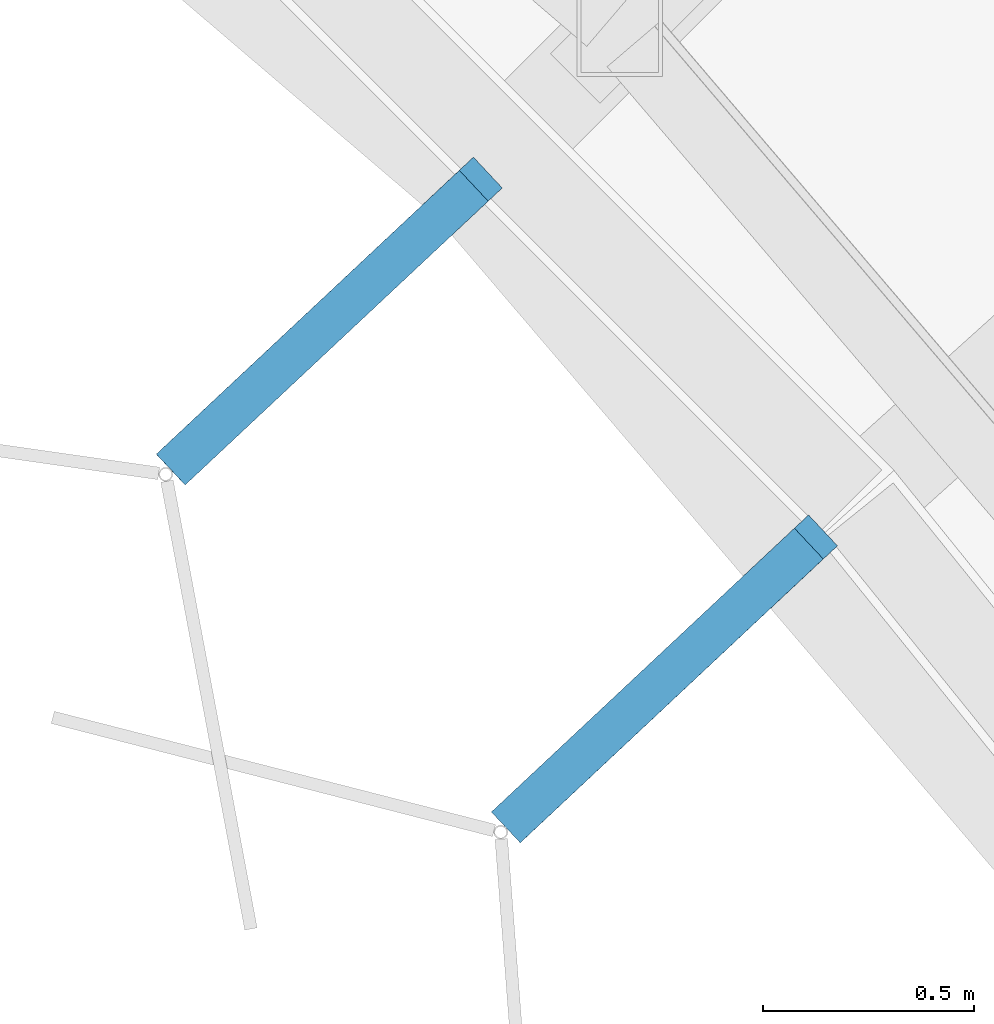
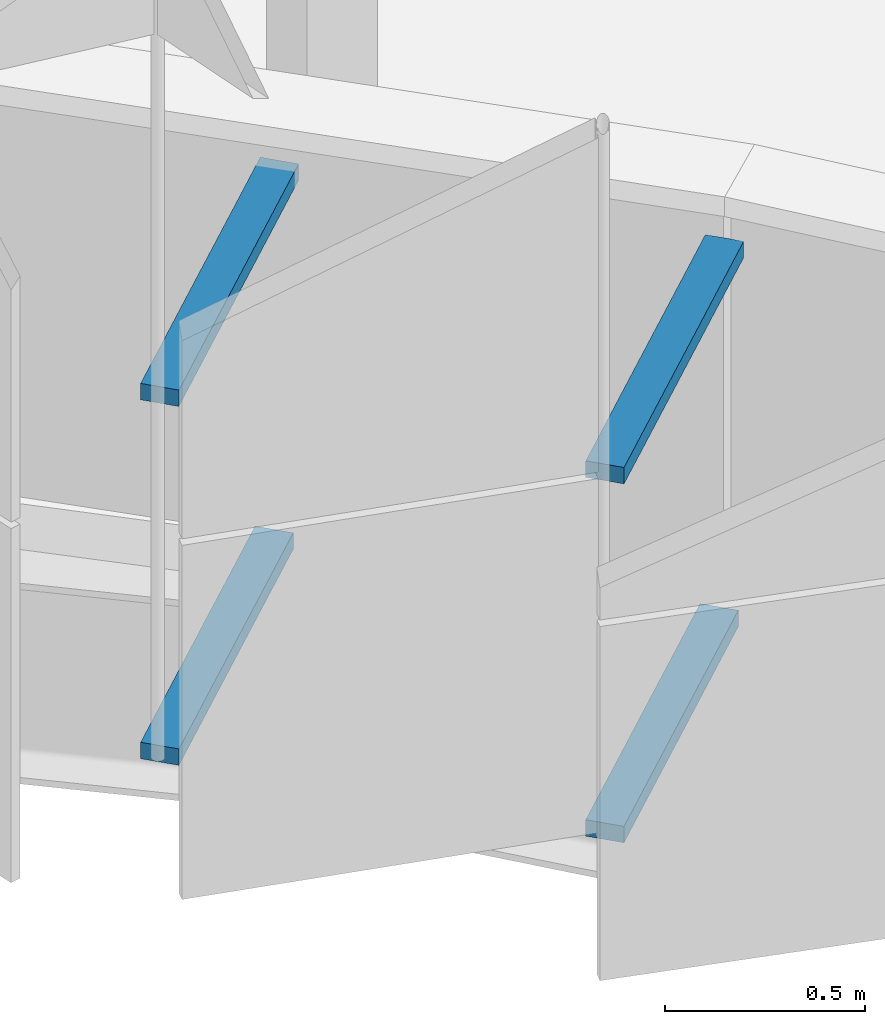
# One storey, part 269 of 483: 4 discrete accessories.
"""IFC4 building model written with IfcOpenShell, lengths in metres."""

import ifcopenshell
import ifcopenshell.guid

model = None  # the IFC model being written
_history = None  # IfcOwnerHistory: only IFC2X3 demands one
_inside = {}  # id of a spatial element -> (the spatial element, [elements in it])
_under = {}  # id of a project, library or spatial element -> (it, [spatial elements below it])
_declared = {}  # id of a project -> (the project, [libraries it declares])
_typed = {}  # id of a type object -> (the type object, [elements of that type])
_made_of = {}  # id of a material, layer set ... -> (it, [elements and type objects made of it])


def new_model(schema):
    """Start an empty IFC model of exactly this schema.

    Asked for "IFC4X3", IfcOpenShell would pick the latest addendum, in which some entities
    have other attributes; the version numbers below select the first issue.
    IFC2X3 requires an IfcOwnerHistory on every rooted entity: one is made here for all.
    """
    global model, _history
    if schema == "IFC4X3":
        model = ifcopenshell.file(schema_version=(4, 3, 0, 0))
    else:
        model = ifcopenshell.file(schema=schema)
    _inside.clear()
    _under.clear()
    _declared.clear()
    _typed.clear()
    _made_of.clear()
    _history = None
    if model.schema == "IFC2X3":
        org = make("IfcOrganization", Name="unknown")
        user = make(
            "IfcPersonAndOrganization",
            ThePerson=make("IfcPerson", FamilyName="unknown"),
            TheOrganization=org,
        )
        app = make(
            "IfcApplication",
            ApplicationDeveloper=org,
            Version="unknown",
            ApplicationFullName="unknown",
            ApplicationIdentifier="unknown",
        )
        _history = make(
            "IfcOwnerHistory",
            OwningUser=user,
            OwningApplication=app,
            ChangeAction="ADDED",
            CreationDate=0,
        )
    return model


def make(cls, **values):
    """One entity of the class cls with the attributes given. An attribute that is None is left unset."""
    return model.create_entity(
        cls, **{name: value for name, value in values.items() if value is not None}
    )


def rooted(cls, **values):
    """An entity with a GlobalId (a new one), such as an element, a storey or a relation."""
    return make(cls, GlobalId=ifcopenshell.guid.new(), OwnerHistory=_history, **values)


def si_unit(unit_type, name, prefix=None):
    """IfcSIUnit, for example si_unit("LENGTHUNIT", "METRE", prefix="MILLI")."""
    return make("IfcSIUnit", UnitType=unit_type, Prefix=prefix, Name=name)


def assignment(units):
    """IfcUnitAssignment: the units of a project."""
    return None if units is None else make("IfcUnitAssignment", Units=units)


def point(xyz):
    """IfcCartesianPoint."""
    return None if xyz is None else make("IfcCartesianPoint", Coordinates=xyz)


def direction(xyz):
    """IfcDirection."""
    return None if xyz is None else make("IfcDirection", DirectionRatios=xyz)


def frame(location, z_axis=None, x_axis=None):
    """IfcAxis2Placement3D, a coordinate frame: its origin and axes. An axis left out is left unset."""
    return make(
        "IfcAxis2Placement3D",
        Location=point(location),
        Axis=direction(z_axis),
        RefDirection=direction(x_axis),
    )


def frame_2d(location, x_axis=None):
    """IfcAxis2Placement2D, a coordinate frame in the plane: its origin and x axis."""
    return make(
        "IfcAxis2Placement2D", Location=point(location), RefDirection=direction(x_axis)
    )


def origin():
    """The frame at (0, 0, 0) with its axes left unset."""
    return frame((0.0, 0.0, 0.0))


def origin_2d():
    """The frame at (0, 0) in the plane with its x axis left unset."""
    return frame_2d((0.0, 0.0))


def place(relative_to, where):
    """IfcLocalPlacement: puts the frame where relative to a parent placement (None: the world)."""
    return make(
        "IfcLocalPlacement", PlacementRelTo=relative_to, RelativePlacement=where
    )


def context(
    kind, dimensions, precision=None, world=None, true_north=None, identifier=None
):
    """IfcGeometricRepresentationContext, for example the 3D "Model" context."""
    return make(
        "IfcGeometricRepresentationContext",
        ContextIdentifier=identifier,
        ContextType=kind,
        CoordinateSpaceDimension=dimensions,
        Precision=precision,
        WorldCoordinateSystem=world,
        TrueNorth=true_north,
    )


def subcontext(parent, identifier, kind, view, scale=None):
    """IfcGeometricRepresentationSubContext, for example "Body" below "Model"."""
    return make(
        "IfcGeometricRepresentationSubContext",
        ContextIdentifier=identifier,
        ContextType=kind,
        ParentContext=parent,
        TargetScale=scale,
        TargetView=view,
    )


def project(units=None, contexts=None):
    """IfcProject with its units and contexts."""
    return rooted(
        "IfcProject",
        Name="project",
        RepresentationContexts=contexts,
        UnitsInContext=assignment(units),
    )


def spatial(cls, under=None, at=None, **own):
    """A site, building, storey or space (cls), placed at a placement, below another one or the project."""
    s = rooted(cls, ObjectPlacement=at, **own)
    if under is not None:
        _under.setdefault(under.id(), (under, []))[1].append(s)
    return s


def profile(cls, at=None, kind="AREA", **sizes):
    """A parametric profile (cls). Its sizes go by their IFC names, for example OverallWidth=200.0."""
    return make(cls, ProfileType=kind, Position=at, **sizes)


def rectangle(**sizes):
    """IfcRectangleProfileDef."""
    return profile("IfcRectangleProfileDef", **sizes)


def extrude(swept, where, along, depth):
    """IfcExtrudedAreaSolid: the profile swept, set in the frame where, extruded along a direction by depth."""
    return make(
        "IfcExtrudedAreaSolid",
        SweptArea=swept,
        Position=where,
        ExtrudedDirection=direction(along),
        Depth=depth,
    )


def shape(context_of_items, identifier, shape_type, items):
    """IfcShapeRepresentation: the items that make up one representation, for example the "Body"."""
    return make(
        "IfcShapeRepresentation",
        ContextOfItems=context_of_items,
        RepresentationIdentifier=identifier,
        RepresentationType=shape_type,
        Items=items,
    )


def material(Name=None, Category=None):
    """IfcMaterial."""
    return make("IfcMaterial", Name=Name, Category=Category)


def made_of(thing, what):
    """Note that an element or type object is made of a material, layer set ...; save() writes the relation."""
    if what is not None:
        _made_of.setdefault(what.id(), (what, []))[1].append(thing)
    return thing


def type_object(cls, material=None, **own):
    """A type object (cls), such as IfcWallType, which elements share."""
    return made_of(rooted(cls, **own), material)


def element(
    cls,
    number,
    at=None,
    inside=None,
    cuts=None,
    type_object=None,
    material=None,
    context=None,
    identifier="Body",
    shape_type=None,
    held_by="IfcProductDefinitionShape",
    body=None,
    shapes=None,
    **own,
):
    """One element of the class cls, such as IfcWall. Its Tag is "e" and its number.

    at: its placement. inside: the storey or other place that contains it. cuts: it is an
    opening in that element (IfcRelVoidsElement). A single representation is given by context,
    identifier, shape_type and body (its items); several are given by shapes. held_by: the class
    of the entity that holds the representations. save() writes the other relations.
    """
    e = rooted(cls, Tag="e%d" % number, ObjectPlacement=at, **own)
    if body is not None:
        shapes = [shape(context, identifier, shape_type, body)]
    if shapes is not None:
        e.Representation = make(held_by, Representations=shapes)
    if inside is not None:
        _inside.setdefault(inside.id(), (inside, []))[1].append(e)
    if cuts is not None:
        rooted(
            "IfcRelVoidsElement", RelatingBuildingElement=cuts, RelatedOpeningElement=e
        )
    if type_object is not None:
        _typed.setdefault(type_object.id(), (type_object, []))[1].append(e)
    return made_of(e, material)


def aggregate(whole, parts):
    """IfcRelAggregates: a whole, such as a stair, and the parts it consists of."""
    return rooted("IfcRelAggregates", RelatingObject=whole, RelatedObjects=parts)


def save(model, path):
    """Write the relations noted so far, then the file.

    IfcRelAggregates (storeys below a building ...), IfcRelContainedInSpatialStructure (elements
    in a storey), IfcRelDefinesByType, IfcRelAssociatesMaterial and IfcRelDeclares: one each for
    every whole, place, type object, material and project.
    """
    for whole, parts in _under.values():
        aggregate(whole, parts)
    for where, things in _inside.values():
        rooted(
            "IfcRelContainedInSpatialStructure",
            RelatedElements=things,
            RelatingStructure=where,
        )
    for kind, things in _typed.values():
        rooted("IfcRelDefinesByType", RelatedObjects=things, RelatingType=kind)
    for what, things in _made_of.values():
        rooted("IfcRelAssociatesMaterial", RelatedObjects=things, RelatingMaterial=what)
    for by, libraries in _declared.values():
        rooted("IfcRelDeclares", RelatingContext=by, RelatedDefinitions=libraries)
    model.write(path)


model = new_model("IFC4")

# Units and contexts
model_context = context("Model", 3, precision=1e-05, world=origin(), true_north=direction((0.0, 1.0)))
body_context = subcontext(model_context, "Body", "Model", "MODEL_VIEW")
ifc_project = project(units=[si_unit("LENGTHUNIT", "METRE"), si_unit("AREAUNIT", "SQUARE_METRE"), si_unit("VOLUMEUNIT", "CUBIC_METRE"), si_unit("PLANEANGLEUNIT", "RADIAN"), si_unit("MASSUNIT", "GRAM", prefix="KILO")], contexts=[model_context])

# Site, building, storey
site_placement = place(None, origin())
site = spatial("IfcSite", under=ifc_project, at=site_placement, CompositionType="ELEMENT")
building_placement = place(site_placement, origin())
building = spatial("IfcBuilding", under=site, at=building_placement, Name="Parallax Yard Mobility Hub", CompositionType="ELEMENT")
storey_placement = place(building_placement, frame((0.0, 0.0, 13.199951171875)))
storey = spatial("IfcBuildingStorey", under=building, at=storey_placement, Name="L04", CompositionType="ELEMENT", Elevation=13.199951171875)

# Discrete accessories
ifc_material = material(Name="Steel ASTM A36, hot-dip galvanised", Category="steel")
discrete_accessory_type = type_object("IfcDiscreteAccessoryType", Name="Hinge bracket plate 100x50", PredefinedType="BRACKET", material=ifc_material)
discrete_accessory_1_placement = place(storey_placement, frame((188.05810546875, 105.566650390625, -0.02490234375), z_axis=(0.0, 0.0, 1.0), x_axis=(-0.729864072698, -0.683592302023, 0.0)))
element("IfcDiscreteAccessory", 1, at=discrete_accessory_1_placement, inside=storey, type_object=discrete_accessory_type, Name="Hinge bracket plate bay 20.4 level L04", PredefinedType="BRACKET", context=body_context, shape_type="SweptSolid", body=[
    extrude(rectangle(XDim=0.984130859375, YDim=0.10009765625, at=origin_2d()), origin(), (0.0, 0.0, 1.0), 0.050048828125),
])
discrete_accessory_2_placement = place(storey_placement, frame((188.07470703125, 105.582275390625, 1.06982421875), z_axis=(0.0, 0.0, 1.0), x_axis=(-0.729864072698, -0.683592302023, 0.0)))
element("IfcDiscreteAccessory", 2, at=discrete_accessory_2_placement, inside=storey, type_object=discrete_accessory_type, Name="Hinge bracket plate bay 20.4 level L04", PredefinedType="BRACKET", context=body_context, shape_type="SweptSolid", body=[
    extrude(rectangle(XDim=1.030029296875, YDim=0.10009765625, at=origin_2d()), origin(), (0.0, 0.0, 1.0), 0.050048828125),
])
discrete_accessory_3_placement = place(storey_placement, frame((188.852294921875, 104.718505859375, -0.02490234375), z_axis=(0.0, 0.0, 1.0), x_axis=(-0.729864072698, -0.683592302023, 0.0)))
element("IfcDiscreteAccessory", 3, at=discrete_accessory_3_placement, inside=storey, type_object=discrete_accessory_type, Name="Hinge bracket plate bay 20.5 level L04", PredefinedType="BRACKET", context=body_context, shape_type="SweptSolid", body=[
    extrude(rectangle(XDim=0.984130859375, YDim=0.10009765625, at=origin_2d()), origin(), (0.0, 0.0, 1.0), 0.050048828125),
])
discrete_accessory_4_placement = place(storey_placement, frame((188.869140625, 104.734130859375, 1.06982421875), z_axis=(0.0, 0.0, 1.0), x_axis=(-0.729864072698, -0.683592302023, 0.0)))
element("IfcDiscreteAccessory", 4, at=discrete_accessory_4_placement, inside=storey, type_object=discrete_accessory_type, Name="Hinge bracket plate bay 20.5 level L04", PredefinedType="BRACKET", context=body_context, shape_type="SweptSolid", body=[
    extrude(rectangle(XDim=1.030029296875, YDim=0.10009765625, at=origin_2d()), origin(), (0.0, 0.0, 1.0), 0.050048828125),
])

save(model, "model.ifc")
